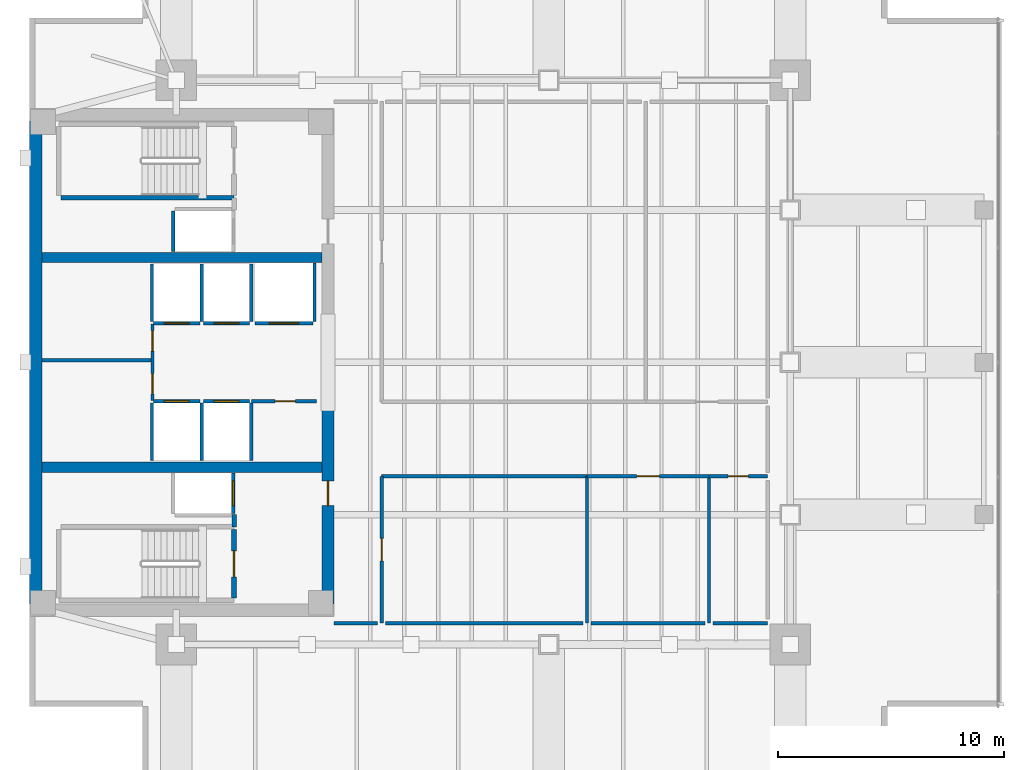
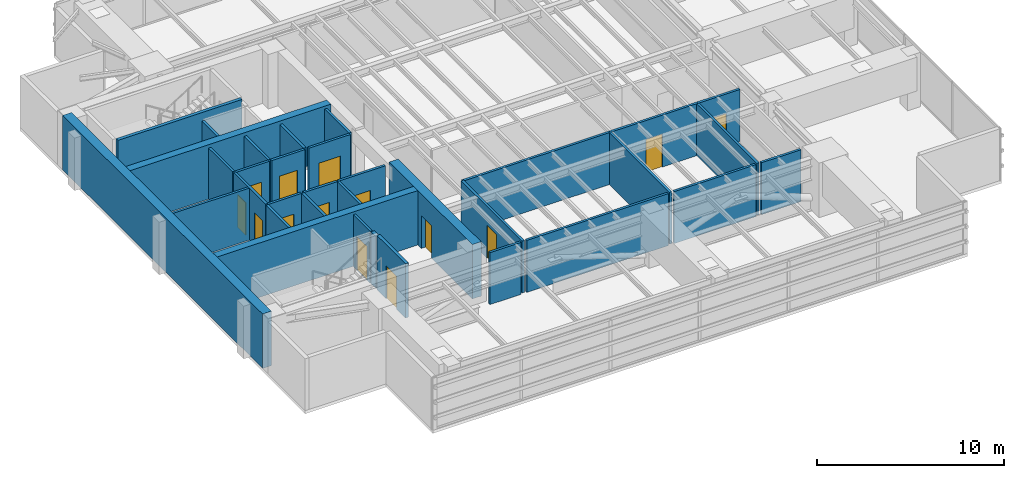
# One storey, part 8 of 13: 34 walls, 14 doors, 14 openings.
"""IFC4 building model written with IfcOpenShell, lengths in metres."""

from ifc_helpers import new_model, si_unit, direction, frame, frame_2d, origin, place, context, subcontext, project, spatial, rectangle, extrude, material, layer, layer_set, type_object, element, fill, save


model = new_model("IFC4")

# Units and contexts
model_context = context("Model", 3, precision=1e-05, world=origin(), true_north=direction((0.0, 1.0)))
body_context = subcontext(model_context, "Body", "Model", "MODEL_VIEW")
ifc_project = project(units=[si_unit("LENGTHUNIT", "METRE"), si_unit("AREAUNIT", "SQUARE_METRE"), si_unit("VOLUMEUNIT", "CUBIC_METRE"), si_unit("PLANEANGLEUNIT", "RADIAN"), si_unit("MASSUNIT", "GRAM", prefix="KILO")], contexts=[model_context])

# Site, building, storey
site_placement = place(None, origin())
site = spatial("IfcSite", under=ifc_project, at=site_placement, CompositionType="ELEMENT")
building_placement = place(site_placement, origin())
building = spatial("IfcBuilding", under=site, at=building_placement, Name="Kinhvarn Gate Tower", CompositionType="ELEMENT")
storey_placement = place(building_placement, frame((0.0, 0.0, 241.300048828125)))
storey = spatial("IfcBuildingStorey", under=building, at=storey_placement, Name="L64", CompositionType="ELEMENT", Elevation=241.300048828125)

# Walls
ifc_material_1 = material(Name="Concrete C50/60", Category="concrete")
ifc_layer_1 = layer(ifc_material_1, 0.449951171875)
ifc_layer_set_1 = layer_set([ifc_layer_1], Name="Concrete C50/60")
wall_type_1 = type_object("IfcWallType", Name="WL-CORE-450", PredefinedType="SHEAR", material=ifc_layer_set_1)
for number, where, z_axis, x_axis, name in (
    (1, (5.050048828125, 20.60009765625, 0.0), (0.0, 0.0, 1.0), (1.0, 0.0, 0.0), "Core South Spine Shear Wall L64 450 mm"),
    (2, (5.050048828125, 29.89990234375, 0.0), (0.0, 0.0, 1.0), (1.0, 0.0, 0.0), "Core North Spine Shear Wall L64 450 mm"),
):
    element("IfcWall", number, at=place(storey_placement, frame(where, z_axis=z_axis, x_axis=x_axis)), inside=storey, type_object=wall_type_1, Name=name, PredefinedType="SHEAR", context=body_context, shape_type="SweptSolid", body=[
        extrude(rectangle(XDim=12.39990234375, YDim=0.449951171875, at=frame_2d((6.199951171875, 0.0))), origin(), (0.0, 0.0, 1.0), 3.550048828125),
    ])

# Wall, opening, door
ifc_material_2 = material(Name="Concrete C60/75", Category="concrete")
ifc_layer_2 = layer(ifc_material_2, 0.550048828125)
ifc_layer_set_2 = layer_set([ifc_layer_2], Name="Concrete C60/75")
wall_type_2 = type_object("IfcWallType", Name="WL-CORE-550", PredefinedType="SHEAR", material=ifc_layer_set_2)
wall_1_placement = place(storey_placement, frame((17.72509765625, 14.550048828125, 0.0), z_axis=(0.0, 0.0, 1.0), x_axis=(0.0, 1.0, 0.0)))
wall_1 = element("IfcWall", 3, at=wall_1_placement, inside=storey, type_object=wall_type_2, Name="Core East-South Shear Pier L64 550 mm", PredefinedType="SHEAR", context=body_context, shape_type="SweptSolid", body=[
    extrude(rectangle(XDim=8.89990234375, YDim=0.550048828125, at=frame_2d((4.449951171875, 0.0))), origin(), (0.0, 0.0, 1.0), 3.550048828125),
])
opening_1_placement = place(wall_1_placement, frame((4.35009765625, 0.0, 0.0)))
opening_1 = element("IfcOpeningElement", 4, at=opening_1_placement, cuts=wall_1, Name="Opening FD-02", PredefinedType="OPENING", context=body_context, shape_type="SweptSolid", body=[
    extrude(rectangle(XDim=1.10009765625, YDim=2.14990234375, at=frame_2d((0.550048828125, 1.074951171875))), frame((0.0, 0.28515625, 0.0), z_axis=(0.0, -1.0, 0.0), x_axis=(1.0, 0.0, 0.0)), (0.0, 0.0, 1.0), 0.570068359375),
])
ifc_material_3 = material(Name="Anodised aluminium AW-6063", Category="aluminium")
door_type_1 = type_object("IfcDoorType", Name="DR-FD-1100", OperationType="NOTDEFINED", PredefinedType="DOOR", material=ifc_material_3)
door_1_placement = place(opening_1_placement, origin())
door_1 = element("IfcDoor", 5, at=door_1_placement, inside=storey, type_object=door_type_1, Name="Firefighting Lobby Core Door (L64)", OperationType="SINGLE_SWING_RIGHT", OverallHeight=2.14990234375, OverallWidth=1.10009765625, PredefinedType="DOOR", context=body_context, shape_type="SweptSolid", body=[
    extrude(rectangle(XDim=1.10009765625, YDim=2.14990234375, at=frame_2d((0.550048828125, 1.074951171875))), frame((0.0, 0.02490234375, 0.0), z_axis=(0.0, -1.0, 0.0), x_axis=(1.0, 0.0, 0.0)), (0.0, 0.0, 1.0), 0.050048828125),
])
fill(opening_1, door_1)

# Walls
ifc_layer_3 = layer(ifc_material_2, 0.550048828125)
ifc_layer_set_3 = layer_set([ifc_layer_3], Name="Concrete C60/75")
wall_type_3 = type_object("IfcWallType", Name="WL-COREX-550", PredefinedType="SHEAR", material=ifc_layer_set_3)
wall_2_placement = place(storey_placement, frame((4.77490234375, 14.550048828125, 0.0), z_axis=(0.0, 0.0, 1.0), x_axis=(0.0, 1.0, 0.0)))
element("IfcWall", 6, at=wall_2_placement, inside=storey, type_object=wall_type_3, Name="Core West Shear Wall L64 550 mm", PredefinedType="SHEAR", context=body_context, shape_type="SweptSolid", body=[
    extrude(rectangle(XDim=21.39990234375, YDim=0.550048828125, at=frame_2d((10.699951171875, 0.0))), origin(), (0.0, 0.0, 1.0), 3.550048828125),
])
ifc_material_4 = material(Name="Gypsum acoustic partition board")
ifc_layer_4 = layer(ifc_material_4, 0.14990234375)
ifc_layer_set_4 = layer_set([ifc_layer_4], Name="Gypsum acoustic partition board")
wall_type_4 = type_object("IfcWallType", Name="WL-PLM-150", PredefinedType="PLUMBINGWALL", material=ifc_layer_set_4)
wall_3_placement = place(storey_placement, frame((34.60009765625, 13.699951171875, 0.0), z_axis=(0.0, 0.0, 1.0), x_axis=(0.0, 1.0, 0.0)))
element("IfcWall", 7, at=wall_3_placement, inside=storey, type_object=wall_type_4, Name="Interior Partition PLW-150 (L64)", PredefinedType="PLUMBINGWALL", context=body_context, shape_type="SweptSolid", body=[
    extrude(rectangle(XDim=6.5, YDim=0.14990234375, at=frame_2d((3.25, 0.0))), origin(), (0.0, 0.0, 1.0), 3.389892578125),
])

# Wall, opening, door
ifc_layer_5 = layer(ifc_material_4, 0.14990234375)
ifc_layer_set_5 = layer_set([ifc_layer_5], Name="Gypsum acoustic partition board")
wall_type_5 = type_object("IfcWallType", Name="WL-PLM-150F", PredefinedType="PLUMBINGWALL", material=ifc_layer_set_5)
wall_4_placement = place(storey_placement, frame((34.60009765625, 20.199951171875, 0.0), z_axis=(0.0, 0.0, 1.0), x_axis=(1.0, 0.0, 0.0)))
wall_4 = element("IfcWall", 8, at=wall_4_placement, inside=storey, type_object=wall_type_5, Name="Interior Partition PLW-150F (L64)", PredefinedType="PLUMBINGWALL", context=body_context, shape_type="SweptSolid", body=[
    extrude(rectangle(XDim=2.599853515625, YDim=0.14990234375, at=frame_2d((1.2998046875, 0.0))), origin(), (0.0, 0.0, 1.0), 3.389892578125),
])
opening_2_placement = place(wall_4_placement, frame((0.85009765625, 0.0, 0.0)))
opening_2 = element("IfcOpeningElement", 9, at=opening_2_placement, cuts=wall_4, Name="Opening FD-04", PredefinedType="OPENING", context=body_context, shape_type="SweptSolid", body=[
    extrude(rectangle(XDim=0.89990234375, YDim=2.10009765625, at=frame_2d((0.449951171875, 1.050048828125))), frame((0.0, 0.0849609375, 0.0), z_axis=(0.0, -1.0, 0.0), x_axis=(1.0, 0.0, 0.0)), (0.0, 0.0, 1.0), 0.169921875),
])
door_type_2 = type_object("IfcDoorType", Name="DR-FD-900", OperationType="NOTDEFINED", PredefinedType="DOOR", material=ifc_material_3)
door_2_placement = place(opening_2_placement, origin())
door_2 = element("IfcDoor", 10, at=door_2_placement, inside=storey, type_object=door_type_2, Name="Rated Riser & Service Closet Fire Door 900x2100 mm (L64)", OperationType="SINGLE_SWING_LEFT", OverallHeight=2.10009765625, OverallWidth=0.89990234375, PredefinedType="DOOR", context=body_context, shape_type="SweptSolid", body=[
    extrude(rectangle(XDim=0.89990234375, YDim=2.10009765625, at=frame_2d((0.449951171875, 1.050048828125))), frame((0.0, 0.02490234375, 0.0), z_axis=(0.0, -1.0, 0.0), x_axis=(1.0, 0.0, 0.0)), (0.0, 0.0, 1.0), 0.050048828125),
])
fill(opening_2, door_2)

# Wall
ifc_layer_6 = layer(ifc_material_4, 0.14990234375)
ifc_layer_set_6 = layer_set([ifc_layer_6], Name="Gypsum acoustic partition board")
wall_type_6 = type_object("IfcWallType", Name="WL-PRT-150F", PredefinedType="PARTITIONING", material=ifc_layer_set_6)
wall_5_placement = place(storey_placement, frame((5.050048828125, 25.35009765625, 0.0), z_axis=(0.0, 0.0, 1.0), x_axis=(1.0, 0.0, 0.0)))
element("IfcWall", 11, at=wall_5_placement, inside=storey, type_object=wall_type_6, Name="Interior Partition PW-150F (L64)", PredefinedType="PARTITIONING", context=body_context, shape_type="SweptSolid", body=[
    extrude(rectangle(XDim=4.89990234375, YDim=0.14990234375, at=frame_2d((2.449951171875, 0.0))), origin(), (0.0, 0.0, 1.0), 3.389892578125),
])

# Wall, openings, doors
wall_6_placement = place(storey_placement, frame((9.949951171875, 23.550048828125, 0.0), z_axis=(0.0, 0.0, 1.0), x_axis=(0.0, 1.0, 0.0)))
wall_6 = element("IfcWall", 12, at=wall_6_placement, inside=storey, type_object=wall_type_6, Name="Interior Partition PW-150F (L64)", PredefinedType="PARTITIONING", context=body_context, shape_type="SweptSolid", body=[
    extrude(rectangle(XDim=3.39990234375, YDim=0.14990234375, at=frame_2d((1.699951171875, 0.0))), origin(), (0.0, 0.0, 1.0), 3.389892578125),
])
opening_3_placement = place(wall_6_placement, frame((0.298095703125, 0.0, 0.0)))
opening_3 = element("IfcOpeningElement", 13, at=opening_3_placement, cuts=wall_6, Name="Opening FD-04", PredefinedType="OPENING", context=body_context, shape_type="SweptSolid", body=[
    extrude(rectangle(XDim=0.89990234375, YDim=2.10009765625, at=frame_2d((0.449951171875, 1.050048828125))), frame((0.0, 0.0849609375, 0.0), z_axis=(0.0, -1.0, 0.0), x_axis=(1.0, 0.0, 0.0)), (0.0, 0.0, 1.0), 0.169921875),
])
opening_4_placement = place(wall_6_placement, frame((2.201904296875, 0.0, 0.0)))
opening_4 = element("IfcOpeningElement", 14, at=opening_4_placement, cuts=wall_6, Name="Opening FD-04", PredefinedType="OPENING", context=body_context, shape_type="SweptSolid", body=[
    extrude(rectangle(XDim=0.89990234375, YDim=2.10009765625, at=frame_2d((0.449951171875, 1.050048828125))), frame((0.0, 0.0849609375, 0.0), z_axis=(0.0, -1.0, 0.0), x_axis=(1.0, 0.0, 0.0)), (0.0, 0.0, 1.0), 0.169921875),
])
door_3_placement = place(opening_3_placement, origin())
door_3 = element("IfcDoor", 15, at=door_3_placement, inside=storey, type_object=door_type_2, Name="Rated Riser & Service Closet Fire Door 900x2100 mm (L64)", OperationType="SINGLE_SWING_RIGHT", OverallHeight=2.10009765625, OverallWidth=0.89990234375, PredefinedType="DOOR", context=body_context, shape_type="SweptSolid", body=[
    extrude(rectangle(XDim=0.89990234375, YDim=2.10009765625, at=frame_2d((0.449951171875, 1.050048828125))), frame((0.0, 0.02490234375, 0.0), z_axis=(0.0, -1.0, 0.0), x_axis=(1.0, 0.0, 0.0)), (0.0, 0.0, 1.0), 0.050048828125),
])
fill(opening_3, door_3)
door_4_placement = place(opening_4_placement, origin())
door_4 = element("IfcDoor", 16, at=door_4_placement, inside=storey, type_object=door_type_2, Name="Rated Riser & Service Closet Fire Door 900x2100 mm (L64)", OperationType="SINGLE_SWING_LEFT", OverallHeight=2.10009765625, OverallWidth=0.89990234375, PredefinedType="DOOR", context=body_context, shape_type="SweptSolid", body=[
    extrude(rectangle(XDim=0.89990234375, YDim=2.10009765625, at=frame_2d((0.449951171875, 1.050048828125))), frame((0.0, 0.02490234375, 0.0), z_axis=(0.0, -1.0, 0.0), x_axis=(1.0, 0.0, 0.0)), (0.0, 0.0, 1.0), 0.050048828125),
])
fill(opening_4, door_4)

# Wall, opening, door
wall_7_placement = place(storey_placement, frame((14.330078125, 23.52001953125, 0.0), z_axis=(0.0, 0.0, 1.0), x_axis=(1.0, 0.0, 0.0)))
wall_7 = element("IfcWall", 17, at=wall_7_placement, inside=storey, type_object=wall_type_6, Name="Interior Partition PW-150F (L64)", PredefinedType="PARTITIONING", context=body_context, shape_type="SweptSolid", body=[
    extrude(rectangle(XDim=2.889892578125, YDim=0.14990234375, at=frame_2d((1.44482421875, 0.0))), origin(), (0.0, 0.0, 1.0), 3.389892578125),
])
opening_5_placement = place(wall_7_placement, frame((1.052734375, 0.0, 0.0)))
opening_5 = element("IfcOpeningElement", 18, at=opening_5_placement, cuts=wall_7, Name="Opening FD-04", PredefinedType="OPENING", context=body_context, shape_type="SweptSolid", body=[
    extrude(rectangle(XDim=0.89990234375, YDim=2.10009765625, at=frame_2d((0.449951171875, 1.050048828125))), frame((0.0, 0.0849609375, 0.0), z_axis=(0.0, -1.0, 0.0), x_axis=(1.0, 0.0, 0.0)), (0.0, 0.0, 1.0), 0.169921875),
])
door_5_placement = place(opening_5_placement, origin())
door_5 = element("IfcDoor", 19, at=door_5_placement, inside=storey, type_object=door_type_2, Name="Rated Riser & Service Closet Fire Door 900x2100 mm (L64)", OperationType="SINGLE_SWING_RIGHT", OverallHeight=2.10009765625, OverallWidth=0.89990234375, PredefinedType="DOOR", context=body_context, shape_type="SweptSolid", body=[
    extrude(rectangle(XDim=0.89990234375, YDim=2.10009765625, at=frame_2d((0.449951171875, 1.050048828125))), frame((0.0, 0.02490234375, 0.0), z_axis=(0.0, -1.0, 0.0), x_axis=(1.0, 0.0, 0.0)), (0.0, 0.0, 1.0), 0.050048828125),
])
fill(opening_5, door_5)

wall_8_placement = place(storey_placement, frame((20.10009765625, 13.699951171875, 0.0), z_axis=(0.0, 0.0, 1.0), x_axis=(0.0, 1.0, 0.0)))
wall_8 = element("IfcWall", 20, at=wall_8_placement, inside=storey, type_object=wall_type_6, Name="Interior Partition PW-150F (L64)", PredefinedType="PARTITIONING", context=body_context, shape_type="SweptSolid", body=[
    extrude(rectangle(XDim=6.5, YDim=0.14990234375, at=frame_2d((3.25, 0.0))), origin(), (0.0, 0.0, 1.0), 3.389892578125),
])
opening_6_placement = place(wall_8_placement, frame((2.75, 0.0, 0.0)))
opening_6 = element("IfcOpeningElement", 21, at=opening_6_placement, cuts=wall_8, Name="Opening FD-03", PredefinedType="OPENING", context=body_context, shape_type="SweptSolid", body=[
    extrude(rectangle(XDim=1.0, YDim=2.14990234375, at=frame_2d((0.5, 1.074951171875))), frame((0.0, 0.0849609375, 0.0), z_axis=(0.0, -1.0, 0.0), x_axis=(1.0, 0.0, 0.0)), (0.0, 0.0, 1.0), 0.169921875),
])
door_type_3 = type_object("IfcDoorType", Name="DR-FD-1000", OperationType="NOTDEFINED", PredefinedType="DOOR", material=ifc_material_3)
door_6_placement = place(opening_6_placement, origin())
door_6 = element("IfcDoor", 22, at=door_6_placement, inside=storey, type_object=door_type_3, Name="Rated Plant & Corridor Fire Door 1000x2150 mm (L64)", OperationType="SINGLE_SWING_LEFT", OverallHeight=2.14990234375, OverallWidth=1.0, PredefinedType="DOOR", context=body_context, shape_type="SweptSolid", body=[
    extrude(rectangle(XDim=1.0, YDim=2.14990234375, at=frame_2d((0.5, 1.074951171875))), frame((0.0, 0.02490234375, 0.0), z_axis=(0.0, -1.0, 0.0), x_axis=(1.0, 0.0, 0.0)), (0.0, 0.0, 1.0), 0.050048828125),
])
fill(opening_6, door_6)

wall_9_placement = place(storey_placement, frame((29.199951171875, 20.199951171875, 0.0), z_axis=(0.0, 0.0, 1.0), x_axis=(1.0, 0.0, 0.0)))
wall_9 = element("IfcWall", 23, at=wall_9_placement, inside=storey, type_object=wall_type_6, Name="Interior Partition PW-150F (L64)", PredefinedType="PARTITIONING", context=body_context, shape_type="SweptSolid", body=[
    extrude(rectangle(XDim=5.400146484375, YDim=0.14990234375, at=frame_2d((2.7001953125, 0.0))), origin(), (0.0, 0.0, 1.0), 3.389892578125),
])
opening_7_placement = place(wall_9_placement, frame((2.199951171875, 0.0, 0.0)))
opening_7 = element("IfcOpeningElement", 24, at=opening_7_placement, cuts=wall_9, Name="Opening FD-03", PredefinedType="OPENING", context=body_context, shape_type="SweptSolid", body=[
    extrude(rectangle(XDim=1.0, YDim=2.14990234375, at=frame_2d((0.5, 1.074951171875))), frame((0.0, 0.0849609375, 0.0), z_axis=(0.0, -1.0, 0.0), x_axis=(1.0, 0.0, 0.0)), (0.0, 0.0, 1.0), 0.169921875),
])
door_7_placement = place(opening_7_placement, origin())
door_7 = element("IfcDoor", 25, at=door_7_placement, inside=storey, type_object=door_type_3, Name="Rated Plant & Corridor Fire Door 1000x2150 mm (L64)", OperationType="SINGLE_SWING_RIGHT", OverallHeight=2.14990234375, OverallWidth=1.0, PredefinedType="DOOR", context=body_context, shape_type="SweptSolid", body=[
    extrude(rectangle(XDim=1.0, YDim=2.14990234375, at=frame_2d((0.5, 1.074951171875))), frame((0.0, 0.02490234375, 0.0), z_axis=(0.0, -1.0, 0.0), x_axis=(1.0, 0.0, 0.0)), (0.0, 0.0, 1.0), 0.050048828125),
])
fill(opening_7, door_7)

# Walls
wall_10_placement = place(storey_placement, frame((20.10009765625, 20.199951171875, 0.0), z_axis=(0.0, 0.0, 1.0), x_axis=(1.0, 0.0, 0.0)))
element("IfcWall", 26, at=wall_10_placement, inside=storey, type_object=wall_type_6, Name="Interior Partition PW-150F (L64)", PredefinedType="PARTITIONING", context=body_context, shape_type="SweptSolid", body=[
    extrude(rectangle(XDim=9.099853515625, YDim=0.14990234375, at=frame_2d((4.5498046875, 0.0))), origin(), (0.0, 0.0, 1.0), 3.389892578125),
])
wall_11_placement = place(storey_placement, frame((29.199951171875, 13.699951171875, 0.0), z_axis=(0.0, 0.0, 1.0), x_axis=(0.0, 1.0, 0.0)))
element("IfcWall", 27, at=wall_11_placement, inside=storey, type_object=wall_type_6, Name="Interior Partition PW-150F (L64)", PredefinedType="PARTITIONING", context=body_context, shape_type="SweptSolid", body=[
    extrude(rectangle(XDim=6.5, YDim=0.14990234375, at=frame_2d((3.25, 0.0))), origin(), (0.0, 0.0, 1.0), 3.389892578125),
])
wall_12_placement = place(storey_placement, frame((37.199951171875, 13.699951171875, 0.0), z_axis=(0.0, 0.0, 1.0), x_axis=(-1.0, 0.0, 0.0)))
element("IfcWall", 28, at=wall_12_placement, inside=storey, type_object=wall_type_6, Name="Interior Partition PW-150F (L64)", PredefinedType="PARTITIONING", context=body_context, shape_type="SweptSolid", body=[
    extrude(rectangle(XDim=2.419921875, YDim=0.14990234375, at=frame_2d((1.2099609375, 0.0))), origin(), (0.0, 0.0, 1.0), 3.389892578125),
])
wall_13_placement = place(storey_placement, frame((34.419921875, 13.699951171875, 0.0), z_axis=(0.0, 0.0, 1.0), x_axis=(-1.0, 0.0, 0.0)))
element("IfcWall", 29, at=wall_13_placement, inside=storey, type_object=wall_type_6, Name="Interior Partition PW-150F (L64)", PredefinedType="PARTITIONING", context=body_context, shape_type="SweptSolid", body=[
    extrude(rectangle(XDim=5.0400390625, YDim=0.14990234375, at=frame_2d((2.52001953125, 0.0))), origin(), (0.0, 0.0, 1.0), 3.389892578125),
])
wall_14_placement = place(storey_placement, frame((29.02001953125, 13.699951171875, 0.0), z_axis=(0.0, 0.0, 1.0), x_axis=(-1.0, 0.0, 0.0)))
element("IfcWall", 30, at=wall_14_placement, inside=storey, type_object=wall_type_6, Name="Interior Partition PW-150F (L64)", PredefinedType="PARTITIONING", context=body_context, shape_type="SweptSolid", body=[
    extrude(rectangle(XDim=8.739990234375, YDim=0.14990234375, at=frame_2d((4.3701171875, 0.0))), origin(), (0.0, 0.0, 1.0), 3.389892578125),
])
wall_15_placement = place(storey_placement, frame((19.919921875, 13.699951171875, 0.0), z_axis=(0.0, 0.0, 1.0), x_axis=(-1.0, 0.0, 0.0)))
element("IfcWall", 31, at=wall_15_placement, inside=storey, type_object=wall_type_6, Name="Interior Partition PW-150F (L64)", PredefinedType="PARTITIONING", context=body_context, shape_type="SweptSolid", body=[
    extrude(rectangle(XDim=1.919921875, YDim=0.14990234375, at=frame_2d((0.9599609375, 0.0))), origin(), (0.0, 0.0, 1.0), 3.389892578125),
])
ifc_layer_7 = layer(ifc_material_4, 0.199951171875)
ifc_layer_set_7 = layer_set([ifc_layer_7], Name="Gypsum acoustic partition board")
wall_type_7 = type_object("IfcWallType", Name="WL-PRT-200", PredefinedType="PARTITIONING", material=ifc_layer_set_7)
wall_16_placement = place(storey_placement, frame((13.580078125, 17.9599609375, 0.0), z_axis=(0.0, 0.0, 1.0), x_axis=(0.0, 1.0, 0.0)))
element("IfcWall", 32, at=wall_16_placement, inside=storey, type_object=wall_type_7, Name="Interior Partition PW-200 (L64)", PredefinedType="PARTITIONING", context=body_context, shape_type="SweptSolid", body=[
    extrude(rectangle(XDim=0.5400390625, YDim=0.199951171875, at=frame_2d((0.27001953125, 0.0))), origin(), (0.0, 0.0, 1.0), 3.389892578125),
])

# Wall, opening, door
ifc_layer_8 = layer(ifc_material_4, 0.14990234375)
ifc_layer_set_8 = layer_set([ifc_layer_8], Name="Gypsum acoustic partition board")
wall_type_8 = type_object("IfcWallType", Name="WL-SHF-150", PredefinedType="PARTITIONING", material=ifc_layer_set_8)
wall_17_placement = place(storey_placement, frame((10.0, 23.52490234375, 0.0), z_axis=(0.0, 0.0, 1.0), x_axis=(1.0, 0.0, 0.0)))
wall_17 = element("IfcWall", 33, at=wall_17_placement, inside=storey, type_object=wall_type_8, Name="Elevator PH-09 Landing Wall (L64)", PredefinedType="PARTITIONING", context=body_context, shape_type="SweptSolid", body=[
    extrude(rectangle(XDim=2.050048828125, YDim=0.14990234375, at=frame_2d((1.02490234375, 0.0))), origin(), (0.0, 0.0, 1.0), 3.389892578125),
])
opening_8_placement = place(wall_17_placement, frame((0.47509765625, 0.0, 0.0)))
opening_8 = element("IfcOpeningElement", 34, at=opening_8_placement, cuts=wall_17, Name="Opening LD-01", PredefinedType="OPENING", context=body_context, shape_type="SweptSolid", body=[
    extrude(rectangle(XDim=1.10009765625, YDim=2.199951171875, at=frame_2d((0.550048828125, 1.10009765625))), frame((0.0, 0.0849609375, 0.0), z_axis=(0.0, -1.0, 0.0), x_axis=(1.0, 0.0, 0.0)), (0.0, 0.0, 1.0), 0.169921875),
])
door_type_4 = type_object("IfcDoorType", Name="DR-LND-PAS", OperationType="NOTDEFINED", PredefinedType="DOOR", material=ifc_material_3)
door_8_placement = place(opening_8_placement, origin())
door_8 = element("IfcDoor", 35, at=door_8_placement, inside=storey, type_object=door_type_4, Name="Elevator PH-09 Sliding Landing Door (L64)", OperationType="DOUBLE_DOOR_SLIDING", OverallHeight=2.199951171875, OverallWidth=1.10009765625, PredefinedType="DOOR", context=body_context, shape_type="SweptSolid", body=[
    extrude(rectangle(XDim=1.10009765625, YDim=2.199951171875, at=frame_2d((0.550048828125, 1.10009765625))), frame((0.0, 0.02490234375, 0.0), z_axis=(0.0, -1.0, 0.0), x_axis=(1.0, 0.0, 0.0)), (0.0, 0.0, 1.0), 0.050048828125),
])
fill(opening_8, door_8)

# Walls
for number, where, z_axis, x_axis, name in (
    (36, (9.925048828125, 20.89990234375, 0.0), (0.0, 0.0, 1.0), (0.0, 1.0, 0.0), "Elevator PH-09 Hoistway Wall W (L64)"),
    (37, (12.125, 20.89990234375, 0.0), (0.0, 0.0, 1.0), (0.0, 1.0, 0.0), "Elevator PH-09 Hoistway Wall E (L64)"),
):
    element("IfcWall", number, at=place(storey_placement, frame(where, z_axis=z_axis, x_axis=x_axis)), inside=storey, type_object=wall_type_8, Name=name, PredefinedType="PARTITIONING", context=body_context, shape_type="SweptSolid", body=[
        extrude(rectangle(XDim=2.550048828125, YDim=0.14990234375, at=frame_2d((1.27490234375, 0.0))), origin(), (0.0, 0.0, 1.0), 3.389892578125),
    ])

# Wall, opening, door
wall_18_placement = place(storey_placement, frame((12.199951171875, 23.52490234375, 0.0), z_axis=(0.0, 0.0, 1.0), x_axis=(1.0, 0.0, 0.0)))
wall_18 = element("IfcWall", 38, at=wall_18_placement, inside=storey, type_object=wall_type_8, Name="Elevator PH-10 Landing Wall (L64)", PredefinedType="PARTITIONING", context=body_context, shape_type="SweptSolid", body=[
    extrude(rectangle(XDim=2.050048828125, YDim=0.14990234375, at=frame_2d((1.02490234375, 0.0))), origin(), (0.0, 0.0, 1.0), 3.389892578125),
])
opening_9_placement = place(wall_18_placement, frame((0.47509765625, 0.0, 0.0)))
opening_9 = element("IfcOpeningElement", 39, at=opening_9_placement, cuts=wall_18, Name="Opening LD-01", PredefinedType="OPENING", context=body_context, shape_type="SweptSolid", body=[
    extrude(rectangle(XDim=1.10009765625, YDim=2.199951171875, at=frame_2d((0.550048828125, 1.10009765625))), frame((0.0, 0.0849609375, 0.0), z_axis=(0.0, -1.0, 0.0), x_axis=(1.0, 0.0, 0.0)), (0.0, 0.0, 1.0), 0.169921875),
])
door_9_placement = place(opening_9_placement, origin())
door_9 = element("IfcDoor", 40, at=door_9_placement, inside=storey, type_object=door_type_4, Name="Elevator PH-10 Sliding Landing Door (L64)", OperationType="DOUBLE_DOOR_SLIDING", OverallHeight=2.199951171875, OverallWidth=1.10009765625, PredefinedType="DOOR", context=body_context, shape_type="SweptSolid", body=[
    extrude(rectangle(XDim=1.10009765625, YDim=2.199951171875, at=frame_2d((0.550048828125, 1.10009765625))), frame((0.0, 0.02490234375, 0.0), z_axis=(0.0, -1.0, 0.0), x_axis=(1.0, 0.0, 0.0)), (0.0, 0.0, 1.0), 0.050048828125),
])
fill(opening_9, door_9)

# Wall
wall_19_placement = place(storey_placement, frame((14.324951171875, 20.89990234375, 0.0), z_axis=(0.0, 0.0, 1.0), x_axis=(0.0, 1.0, 0.0)))
element("IfcWall", 41, at=wall_19_placement, inside=storey, type_object=wall_type_8, Name="Elevator PH-10 Hoistway Wall E (L64)", PredefinedType="PARTITIONING", context=body_context, shape_type="SweptSolid", body=[
    extrude(rectangle(XDim=2.550048828125, YDim=0.14990234375, at=frame_2d((1.27490234375, 0.0))), origin(), (0.0, 0.0, 1.0), 3.389892578125),
])

# Wall, opening, door
wall_20_placement = place(storey_placement, frame((10.0, 26.97509765625, 0.0), z_axis=(0.0, 0.0, 1.0), x_axis=(1.0, 0.0, 0.0)))
wall_20 = element("IfcWall", 42, at=wall_20_placement, inside=storey, type_object=wall_type_8, Name="Elevator PH-11 Landing Wall (L64)", PredefinedType="PARTITIONING", context=body_context, shape_type="SweptSolid", body=[
    extrude(rectangle(XDim=2.050048828125, YDim=0.14990234375, at=frame_2d((1.02490234375, 0.0))), origin(), (0.0, 0.0, 1.0), 3.389892578125),
])
opening_10_placement = place(wall_20_placement, frame((0.47509765625, 0.0, 0.0)))
opening_10 = element("IfcOpeningElement", 43, at=opening_10_placement, cuts=wall_20, Name="Opening LD-01", PredefinedType="OPENING", context=body_context, shape_type="SweptSolid", body=[
    extrude(rectangle(XDim=1.10009765625, YDim=2.199951171875, at=frame_2d((0.550048828125, 1.10009765625))), frame((0.0, 0.0849609375, 0.0), z_axis=(0.0, -1.0, 0.0), x_axis=(1.0, 0.0, 0.0)), (0.0, 0.0, 1.0), 0.169921875),
])
door_10_placement = place(opening_10_placement, origin())
door_10 = element("IfcDoor", 44, at=door_10_placement, inside=storey, type_object=door_type_4, Name="Elevator PH-11 Sliding Landing Door (L64)", OperationType="DOUBLE_DOOR_SLIDING", OverallHeight=2.199951171875, OverallWidth=1.10009765625, PredefinedType="DOOR", context=body_context, shape_type="SweptSolid", body=[
    extrude(rectangle(XDim=1.10009765625, YDim=2.199951171875, at=frame_2d((0.550048828125, 1.10009765625))), frame((0.0, 0.02490234375, 0.0), z_axis=(0.0, -1.0, 0.0), x_axis=(1.0, 0.0, 0.0)), (0.0, 0.0, 1.0), 0.050048828125),
])
fill(opening_10, door_10)

# Walls
for number, where, z_axis, x_axis, name in (
    (45, (9.925048828125, 27.050048828125, 0.0), (0.0, 0.0, 1.0), (0.0, 1.0, 0.0), "Elevator PH-11 Hoistway Wall W (L64)"),
    (46, (12.125, 27.050048828125, 0.0), (0.0, 0.0, 1.0), (0.0, 1.0, 0.0), "Elevator PH-11 Hoistway Wall E (L64)"),
):
    element("IfcWall", number, at=place(storey_placement, frame(where, z_axis=z_axis, x_axis=x_axis)), inside=storey, type_object=wall_type_8, Name=name, PredefinedType="PARTITIONING", context=body_context, shape_type="SweptSolid", body=[
        extrude(rectangle(XDim=2.550048828125, YDim=0.14990234375, at=frame_2d((1.27490234375, 0.0))), origin(), (0.0, 0.0, 1.0), 3.389892578125),
    ])

# Wall, opening, door
wall_21_placement = place(storey_placement, frame((12.199951171875, 26.97509765625, 0.0), z_axis=(0.0, 0.0, 1.0), x_axis=(1.0, 0.0, 0.0)))
wall_21 = element("IfcWall", 47, at=wall_21_placement, inside=storey, type_object=wall_type_8, Name="Elevator PH-12 Landing Wall (L64)", PredefinedType="PARTITIONING", context=body_context, shape_type="SweptSolid", body=[
    extrude(rectangle(XDim=2.050048828125, YDim=0.14990234375, at=frame_2d((1.02490234375, 0.0))), origin(), (0.0, 0.0, 1.0), 3.389892578125),
])
opening_11_placement = place(wall_21_placement, frame((0.47509765625, 0.0, 0.0)))
opening_11 = element("IfcOpeningElement", 48, at=opening_11_placement, cuts=wall_21, Name="Opening LD-01", PredefinedType="OPENING", context=body_context, shape_type="SweptSolid", body=[
    extrude(rectangle(XDim=1.10009765625, YDim=2.199951171875, at=frame_2d((0.550048828125, 1.10009765625))), frame((0.0, 0.0849609375, 0.0), z_axis=(0.0, -1.0, 0.0), x_axis=(1.0, 0.0, 0.0)), (0.0, 0.0, 1.0), 0.169921875),
])
door_11_placement = place(opening_11_placement, origin())
door_11 = element("IfcDoor", 49, at=door_11_placement, inside=storey, type_object=door_type_4, Name="Elevator PH-12 Sliding Landing Door (L64)", OperationType="DOUBLE_DOOR_SLIDING", OverallHeight=2.199951171875, OverallWidth=1.10009765625, PredefinedType="DOOR", context=body_context, shape_type="SweptSolid", body=[
    extrude(rectangle(XDim=1.10009765625, YDim=2.199951171875, at=frame_2d((0.550048828125, 1.10009765625))), frame((0.0, 0.02490234375, 0.0), z_axis=(0.0, -1.0, 0.0), x_axis=(1.0, 0.0, 0.0)), (0.0, 0.0, 1.0), 0.050048828125),
])
fill(opening_11, door_11)

# Wall
wall_22_placement = place(storey_placement, frame((14.324951171875, 27.050048828125, 0.0), z_axis=(0.0, 0.0, 1.0), x_axis=(0.0, 1.0, 0.0)))
element("IfcWall", 50, at=wall_22_placement, inside=storey, type_object=wall_type_8, Name="Elevator PH-12 Hoistway Wall E (L64)", PredefinedType="PARTITIONING", context=body_context, shape_type="SweptSolid", body=[
    extrude(rectangle(XDim=2.550048828125, YDim=0.14990234375, at=frame_2d((1.27490234375, 0.0))), origin(), (0.0, 0.0, 1.0), 3.389892578125),
])

# Wall, opening, door
wall_23_placement = place(storey_placement, frame((14.5, 26.97509765625, 0.0), z_axis=(0.0, 0.0, 1.0), x_axis=(1.0, 0.0, 0.0)))
wall_23 = element("IfcWall", 51, at=wall_23_placement, inside=storey, type_object=wall_type_8, Name="Elevator SV-01 Landing Wall (L64)", PredefinedType="PARTITIONING", context=body_context, shape_type="SweptSolid", body=[
    extrude(rectangle(XDim=2.550048828125, YDim=0.14990234375, at=frame_2d((1.27490234375, 0.0))), origin(), (0.0, 0.0, 1.0), 3.389892578125),
])
opening_12_placement = place(wall_23_placement, frame((0.625, 0.0, 0.0)))
opening_12 = element("IfcOpeningElement", 52, at=opening_12_placement, cuts=wall_23, Name="Opening LD-02", PredefinedType="OPENING", context=body_context, shape_type="SweptSolid", body=[
    extrude(rectangle(XDim=1.300048828125, YDim=2.199951171875, at=frame_2d((0.64990234375, 1.10009765625))), frame((0.0, 0.0849609375, 0.0), z_axis=(0.0, -1.0, 0.0), x_axis=(1.0, 0.0, 0.0)), (0.0, 0.0, 1.0), 0.169921875),
])
door_type_5 = type_object("IfcDoorType", Name="DR-LND-SRV", OperationType="NOTDEFINED", PredefinedType="DOOR", material=ifc_material_3)
door_12_placement = place(opening_12_placement, origin())
door_12 = element("IfcDoor", 53, at=door_12_placement, inside=storey, type_object=door_type_5, Name="Elevator SV-01 Sliding Landing Door (L64)", OperationType="DOUBLE_DOOR_SLIDING", OverallHeight=2.199951171875, OverallWidth=1.300048828125, PredefinedType="DOOR", context=body_context, shape_type="SweptSolid", body=[
    extrude(rectangle(XDim=1.300048828125, YDim=2.199951171875, at=frame_2d((0.64990234375, 1.10009765625))), frame((0.0, 0.02490234375, 0.0), z_axis=(0.0, -1.0, 0.0), x_axis=(1.0, 0.0, 0.0)), (0.0, 0.0, 1.0), 0.050048828125),
])
fill(opening_12, door_12)

# Wall
wall_24_placement = place(storey_placement, frame((17.125, 27.050048828125, 0.0), z_axis=(0.0, 0.0, 1.0), x_axis=(0.0, 1.0, 0.0)))
element("IfcWall", 54, at=wall_24_placement, inside=storey, type_object=wall_type_8, Name="Elevator SV-01 Hoistway Wall E (L64)", PredefinedType="PARTITIONING", context=body_context, shape_type="SweptSolid", body=[
    extrude(rectangle(XDim=2.599853515625, YDim=0.14990234375, at=frame_2d((1.2998046875, 0.0))), origin(), (0.0, 0.0, 1.0), 3.389892578125),
])

# Wall, opening, door
wall_25_placement = place(storey_placement, frame((13.52490234375, 18.550048828125, 0.0), z_axis=(0.0, 0.0, 1.0), x_axis=(0.0, 1.0, 0.0)))
wall_25 = element("IfcWall", 55, at=wall_25_placement, inside=storey, type_object=wall_type_8, Name="Elevator FF1 Landing Wall (L64)", PredefinedType="PARTITIONING", context=body_context, shape_type="SweptSolid", body=[
    extrude(rectangle(XDim=1.800048828125, YDim=0.14990234375, at=frame_2d((0.89990234375, 0.0))), origin(), (0.0, 0.0, 1.0), 3.389892578125),
])
opening_13_placement = place(wall_25_placement, frame((0.35009765625, 0.0, 0.0)))
opening_13 = element("IfcOpeningElement", 56, at=opening_13_placement, cuts=wall_25, Name="Opening LD-03", PredefinedType="OPENING", context=body_context, shape_type="SweptSolid", body=[
    extrude(rectangle(XDim=1.10009765625, YDim=2.199951171875, at=frame_2d((0.550048828125, 1.10009765625))), frame((0.0, 0.0849609375, 0.0), z_axis=(0.0, -1.0, 0.0), x_axis=(1.0, 0.0, 0.0)), (0.0, 0.0, 1.0), 0.169921875),
])
door_type_6 = type_object("IfcDoorType", Name="DR-LND-FF", OperationType="NOTDEFINED", PredefinedType="DOOR", material=ifc_material_3)
door_13_placement = place(opening_13_placement, origin())
door_13 = element("IfcDoor", 57, at=door_13_placement, inside=storey, type_object=door_type_6, Name="Elevator FF1 Sliding Landing Door (L64)", OperationType="DOUBLE_DOOR_SLIDING", OverallHeight=2.199951171875, OverallWidth=1.10009765625, PredefinedType="DOOR", context=body_context, shape_type="SweptSolid", body=[
    extrude(rectangle(XDim=1.10009765625, YDim=2.199951171875, at=frame_2d((0.550048828125, 1.10009765625))), frame((0.0, 0.02490234375, 0.0), z_axis=(0.0, -1.0, 0.0), x_axis=(1.0, 0.0, 0.0)), (0.0, 0.0, 1.0), 0.050048828125),
])
fill(opening_13, door_13)

# Wall
wall_26_placement = place(storey_placement, frame((10.875, 30.14990234375, 0.0), z_axis=(0.0, 0.0, 1.0), x_axis=(0.0, 1.0, 0.0)))
element("IfcWall", 58, at=wall_26_placement, inside=storey, type_object=wall_type_8, Name="Elevator FF2 Hoistway Wall W (L64)", PredefinedType="PARTITIONING", context=body_context, shape_type="SweptSolid", body=[
    extrude(rectangle(XDim=1.800048828125, YDim=0.14990234375, at=frame_2d((0.89990234375, 0.0))), origin(), (0.0, 0.0, 1.0), 3.389892578125),
])

# Wall, opening, door
ifc_material_5 = material(Name="Concrete C40/50", Category="concrete")
ifc_layer_9 = layer(ifc_material_5, 0.199951171875)
ifc_layer_set_9 = layer_set([ifc_layer_9], Name="Concrete C40/50")
wall_type_9 = type_object("IfcWallType", Name="WL-SHF-200", PredefinedType="SOLIDWALL", material=ifc_layer_set_9)
wall_27_placement = place(storey_placement, frame((13.56005859375, 14.800048828125, 0.0), z_axis=(0.0, 0.0, 1.0), x_axis=(0.0, 1.0, 0.0)))
wall_27 = element("IfcWall", 59, at=wall_27_placement, inside=storey, type_object=wall_type_9, Name="Stair ST1 East Entry Wall (L64)", PredefinedType="SOLIDWALL", context=body_context, shape_type="SweptSolid", body=[
    extrude(rectangle(XDim=3.050048828125, YDim=0.199951171875, at=frame_2d((1.52490234375, 0.0))), origin(), (0.0, 0.0, 1.0), 3.550048828125),
])
opening_14_placement = place(wall_27_placement, frame((0.949951171875, 0.0, 0.0)))
opening_14 = element("IfcOpeningElement", 60, at=opening_14_placement, cuts=wall_27, Name="Opening FD-01", PredefinedType="OPENING", context=body_context, shape_type="SweptSolid", body=[
    extrude(rectangle(XDim=1.14990234375, YDim=2.14990234375, at=frame_2d((0.574951171875, 1.074951171875))), frame((0.0, 0.10986328125, 0.0), z_axis=(0.0, -1.0, 0.0), x_axis=(1.0, 0.0, 0.0)), (0.0, 0.0, 1.0), 0.219970703125),
])
door_type_7 = type_object("IfcDoorType", Name="DR-ST-1150", OperationType="NOTDEFINED", PredefinedType="DOOR", material=ifc_material_3)
door_14_placement = place(opening_14_placement, origin())
door_14 = element("IfcDoor", 61, at=door_14_placement, inside=storey, type_object=door_type_7, Name="Exit Stair ST1 Fire Door (L64)", OperationType="SINGLE_SWING_RIGHT", OverallHeight=2.14990234375, OverallWidth=1.14990234375, PredefinedType="DOOR", context=body_context, shape_type="SweptSolid", body=[
    extrude(rectangle(XDim=1.14990234375, YDim=2.14990234375, at=frame_2d((0.574951171875, 1.074951171875))), frame((0.0, 0.02490234375, 0.0), z_axis=(0.0, -1.0, 0.0), x_axis=(1.0, 0.0, 0.0)), (0.0, 0.0, 1.0), 0.050048828125),
])
fill(opening_14, door_14)

# Wall
wall_28_placement = place(storey_placement, frame((5.89990234375, 32.5400390625, 0.0), z_axis=(0.0, 0.0, 1.0), x_axis=(1.0, 0.0, 0.0)))
element("IfcWall", 62, at=wall_28_placement, inside=storey, type_object=wall_type_9, Name="Stair ST2 South Shaft Wall (L64)", PredefinedType="SOLIDWALL", context=body_context, shape_type="SweptSolid", body=[
    extrude(rectangle(XDim=7.66015625, YDim=0.199951171875, at=frame_2d((3.830078125, 0.0))), origin(), (0.0, 0.0, 1.0), 3.550048828125),
])

save(model, "model.ifc")
